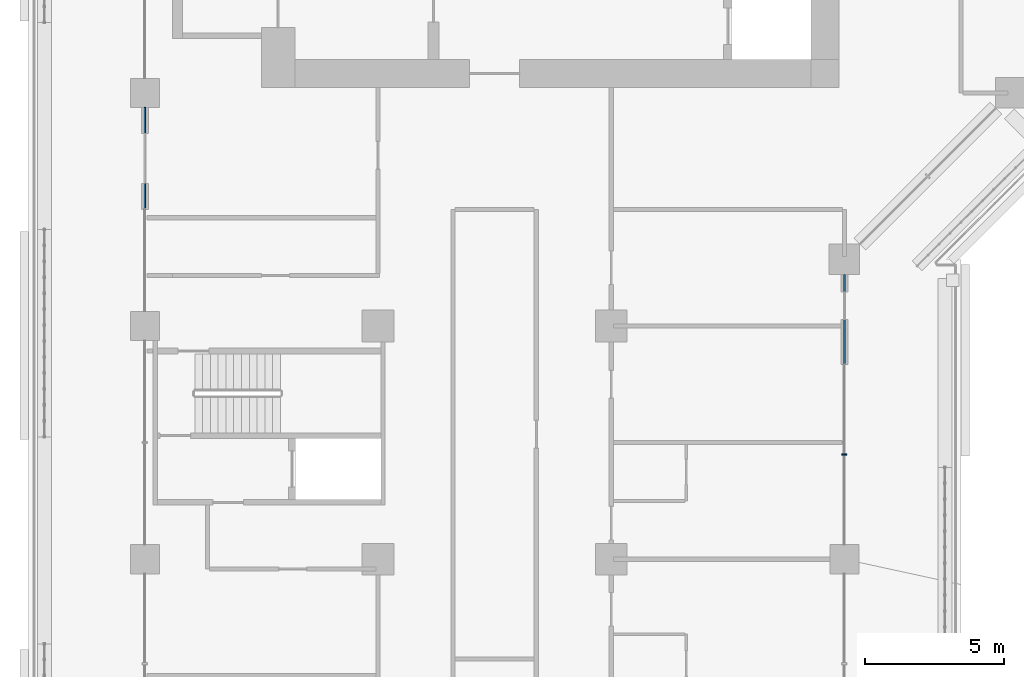
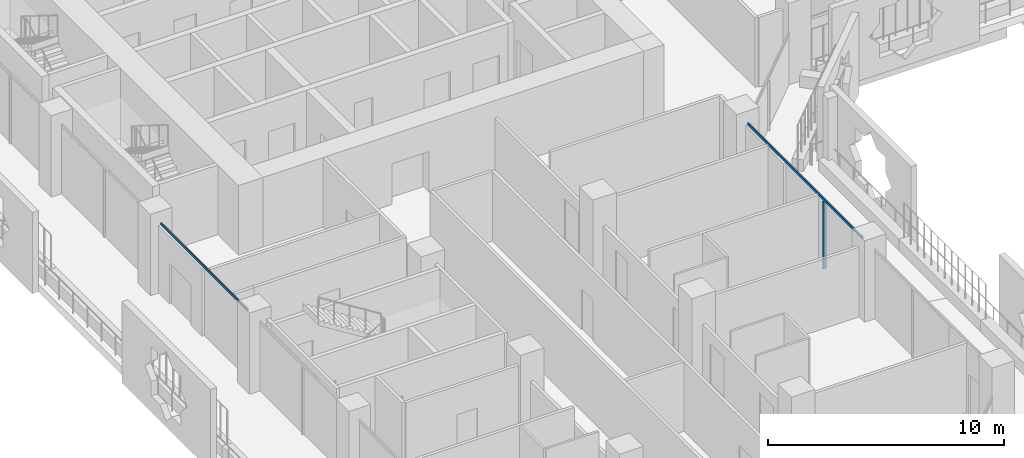
# One storey, part 3 of 26: 3 members, 2 elements without a shape of their own.
"""IFC4 building model written with IfcOpenShell, lengths in metres."""

from ifc_helpers import new_model, si_unit, direction, frame, origin, origin_2d, place, context, subcontext, project, spatial, rectangle, extrude, material, layer, layer_set, material_profile, profile_set, type_object, element, aggregate, save


model = new_model("IFC4")

# Units and contexts
model_context = context("Model", 3, precision=1e-05, world=origin(), true_north=direction((0.0, 1.0)))
body_context = subcontext(model_context, "Body", "Model", "MODEL_VIEW")
ifc_project = project(units=[si_unit("LENGTHUNIT", "METRE"), si_unit("AREAUNIT", "SQUARE_METRE"), si_unit("VOLUMEUNIT", "CUBIC_METRE"), si_unit("PLANEANGLEUNIT", "RADIAN"), si_unit("MASSUNIT", "GRAM", prefix="KILO")], contexts=[model_context])

# Site, building, storey
site_placement = place(None, origin())
site = spatial("IfcSite", under=ifc_project, at=site_placement, CompositionType="ELEMENT")
building_placement = place(site_placement, origin())
building = spatial("IfcBuilding", under=site, at=building_placement, Name="Kawkab Arch Medical Tower", CompositionType="ELEMENT")
storey_placement = place(building_placement, frame((0.0, 0.0, 119.800048828125)))
storey = spatial("IfcBuildingStorey", under=building, at=storey_placement, Name="L27", CompositionType="ELEMENT", Elevation=119.800048828125)

# Curtain wall, member
ifc_material_1 = material(Name="Bronze anodised aluminium curtain wall frame", Category="aluminium")
ifc_layer = layer(ifc_material_1, 0.159912109375)
ifc_layer_set = layer_set([ifc_layer], Name="Bronze anodised aluminium curtain wall frame")
curtain_wall_type = type_object("IfcCurtainWallType", Name="CW1 ward curtain wall", PredefinedType="NOTDEFINED", material=ifc_layer_set)
placement = place(storey_placement, origin())
curtain_wall_1 = element("IfcCurtainWall", 1, at=placement, inside=storey, type_object=curtain_wall_type, Name="CW1 Ward curtain wall R05", PredefinedType="NOTDEFINED")
ifc_material_2 = material(Name="Bronze anodised aluminium curtain wall frame", Category="aluminium")
ifc_material_profile_1 = material_profile(ifc_material_2, rectangle(XDim=0.179931640625, YDim=0.06005859375, at=origin_2d()), Name="AL 60x180")
ifc_profile_set_1 = profile_set([ifc_material_profile_1], Name="Bronze anodised aluminium curtain wall frame")
member_type_1 = type_object("IfcMemberType", Name="CW1 mullion 60 x 180", PredefinedType="MULLION", material=ifc_profile_set_1)
member_1_placement = place(storey_placement, frame((25.199951171875, -38.2333984375, 0.0), z_axis=(0.0, 0.0, 1.0), x_axis=(-1.0, 0.0, 0.0)))
member_1 = element("IfcMember", 2, at=member_1_placement, type_object=member_type_1, Name="CW1 mullion 2.1", PredefinedType="MULLION", context=body_context, shape_type="SweptSolid", body=[
    extrude(rectangle(XDim=0.179931640625, YDim=0.06005859375, at=origin_2d()), origin(), (0.0, 0.0, 1.0), 3.47998046875),
])

curtain_wall_2 = element("IfcCurtainWall", 3, at=placement, inside=storey, type_object=curtain_wall_type, Name="CW1 Ward curtain wall R01", PredefinedType="NOTDEFINED")
ifc_material_3 = material(Name="Bronze anodised aluminium curtain wall frame", Category="aluminium")
ifc_material_profile_2 = material_profile(ifc_material_3, rectangle(XDim=0.06005859375, YDim=0.1201171875, at=origin_2d()), Name="AL 60x120")
ifc_profile_set_2 = profile_set([ifc_material_profile_2], Name="Bronze anodised aluminium curtain wall frame")
member_type_2 = type_object("IfcMemberType", Name="CW1 transom 120 x 60", PredefinedType="USERDEFINED", material=ifc_profile_set_2)
member_2_placement = place(storey_placement, frame((0.0, -25.72509765625, 3.5400390625), z_axis=(0.0, -1.0, 0.0), x_axis=(1.0, 0.0, 0.0)))
member_2 = element("IfcMember", 4, at=member_2_placement, type_object=member_type_2, Name="CW1 transom 4", ObjectType="TRANSOM", PredefinedType="USERDEFINED", context=body_context, shape_type="SweptSolid", body=[
    extrude(rectangle(XDim=0.06005859375, YDim=0.1201171875, at=origin_2d()), origin(), (0.0, 0.0, 1.0), 7.349853515625),
])
aggregate(curtain_wall_2, [member_2])

# Member
member_3_placement = place(storey_placement, frame((25.199951171875, -41.47509765625, 3.5400390625), z_axis=(0.0, 1.0, 0.0), x_axis=(-1.0, 0.0, 0.0)))
member_3 = element("IfcMember", 5, at=member_3_placement, type_object=member_type_2, Name="CW1 transom 2", ObjectType="TRANSOM", PredefinedType="USERDEFINED", context=body_context, shape_type="SweptSolid", body=[
    extrude(rectangle(XDim=0.06005859375, YDim=0.1201171875, at=origin_2d()), origin(), (0.0, 0.0, 1.0), 9.72509765625),
])

aggregate(curtain_wall_1, [member_3, member_1])

save(model, "model.ifc")
